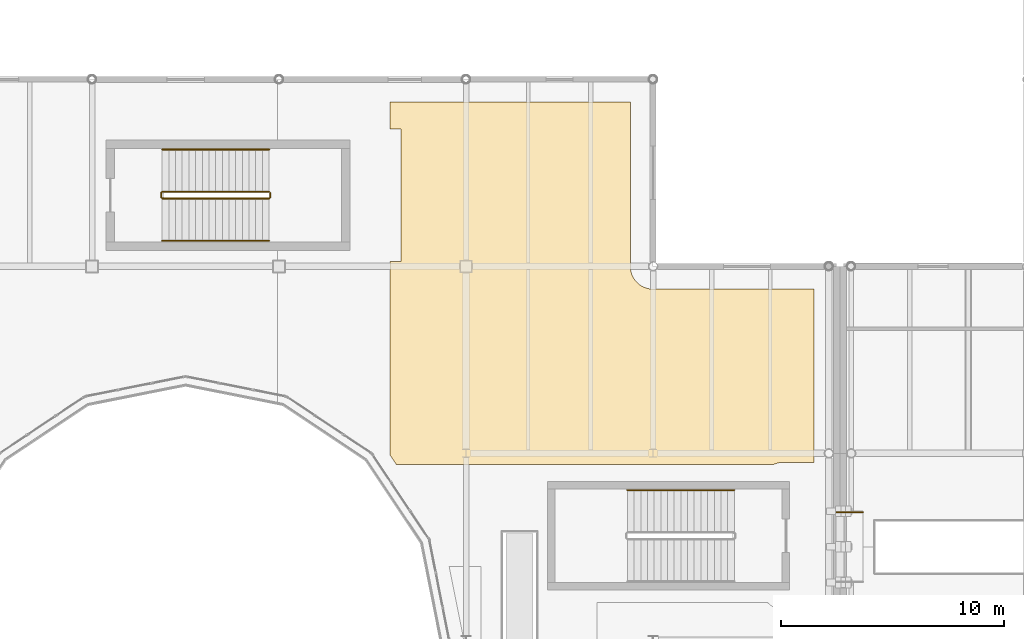
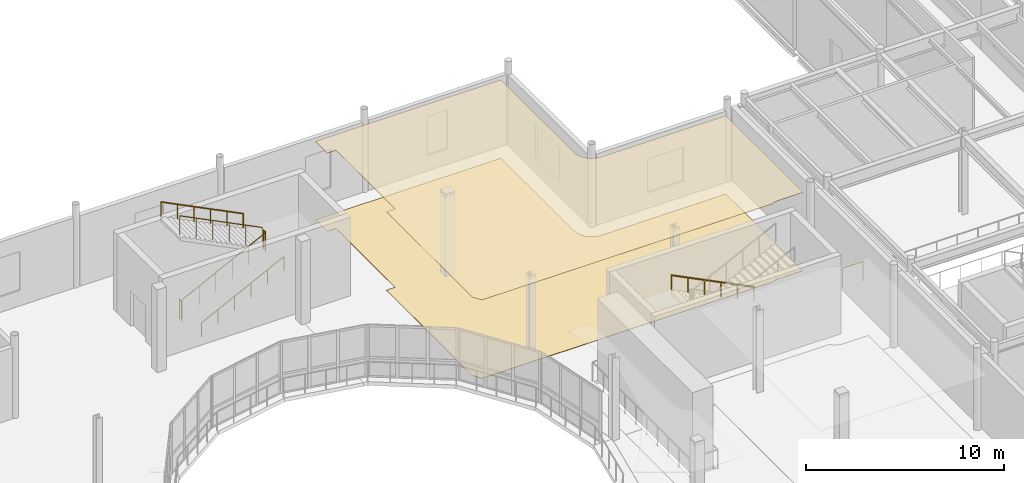
# One storey, part 96 of 103: 8 railings, 2 coverings.
"""IFC4 building model written with IfcOpenShell, lengths in metres."""

import ifcopenshell
import ifcopenshell.guid

model = None  # the IFC model being written
_history = None  # IfcOwnerHistory: only IFC2X3 demands one
_inside = {}  # id of a spatial element -> (the spatial element, [elements in it])
_under = {}  # id of a project, library or spatial element -> (it, [spatial elements below it])
_declared = {}  # id of a project -> (the project, [libraries it declares])
_typed = {}  # id of a type object -> (the type object, [elements of that type])
_made_of = {}  # id of a material, layer set ... -> (it, [elements and type objects made of it])


def new_model(schema):
    """Start an empty IFC model of exactly this schema.

    Asked for "IFC4X3", IfcOpenShell would pick the latest addendum, in which some entities
    have other attributes; the version numbers below select the first issue.
    IFC2X3 requires an IfcOwnerHistory on every rooted entity: one is made here for all.
    """
    global model, _history
    if schema == "IFC4X3":
        model = ifcopenshell.file(schema_version=(4, 3, 0, 0))
    else:
        model = ifcopenshell.file(schema=schema)
    _inside.clear()
    _under.clear()
    _declared.clear()
    _typed.clear()
    _made_of.clear()
    _history = None
    if model.schema == "IFC2X3":
        org = make("IfcOrganization", Name="unknown")
        user = make(
            "IfcPersonAndOrganization",
            ThePerson=make("IfcPerson", FamilyName="unknown"),
            TheOrganization=org,
        )
        app = make(
            "IfcApplication",
            ApplicationDeveloper=org,
            Version="unknown",
            ApplicationFullName="unknown",
            ApplicationIdentifier="unknown",
        )
        _history = make(
            "IfcOwnerHistory",
            OwningUser=user,
            OwningApplication=app,
            ChangeAction="ADDED",
            CreationDate=0,
        )
    return model


def make(cls, **values):
    """One entity of the class cls with the attributes given. An attribute that is None is left unset."""
    return model.create_entity(
        cls, **{name: value for name, value in values.items() if value is not None}
    )


def rooted(cls, **values):
    """An entity with a GlobalId (a new one), such as an element, a storey or a relation."""
    return make(cls, GlobalId=ifcopenshell.guid.new(), OwnerHistory=_history, **values)


def si_unit(unit_type, name, prefix=None):
    """IfcSIUnit, for example si_unit("LENGTHUNIT", "METRE", prefix="MILLI")."""
    return make("IfcSIUnit", UnitType=unit_type, Prefix=prefix, Name=name)


def assignment(units):
    """IfcUnitAssignment: the units of a project."""
    return None if units is None else make("IfcUnitAssignment", Units=units)


def point(xyz):
    """IfcCartesianPoint."""
    return None if xyz is None else make("IfcCartesianPoint", Coordinates=xyz)


def direction(xyz):
    """IfcDirection."""
    return None if xyz is None else make("IfcDirection", DirectionRatios=xyz)


def frame(location, z_axis=None, x_axis=None):
    """IfcAxis2Placement3D, a coordinate frame: its origin and axes. An axis left out is left unset."""
    return make(
        "IfcAxis2Placement3D",
        Location=point(location),
        Axis=direction(z_axis),
        RefDirection=direction(x_axis),
    )


def frame_2d(location, x_axis=None):
    """IfcAxis2Placement2D, a coordinate frame in the plane: its origin and x axis."""
    return make(
        "IfcAxis2Placement2D", Location=point(location), RefDirection=direction(x_axis)
    )


def origin():
    """The frame at (0, 0, 0) with its axes left unset."""
    return frame((0.0, 0.0, 0.0))


def origin_2d():
    """The frame at (0, 0) in the plane with its x axis left unset."""
    return frame_2d((0.0, 0.0))


def place(relative_to, where):
    """IfcLocalPlacement: puts the frame where relative to a parent placement (None: the world)."""
    return make(
        "IfcLocalPlacement", PlacementRelTo=relative_to, RelativePlacement=where
    )


def context(
    kind, dimensions, precision=None, world=None, true_north=None, identifier=None
):
    """IfcGeometricRepresentationContext, for example the 3D "Model" context."""
    return make(
        "IfcGeometricRepresentationContext",
        ContextIdentifier=identifier,
        ContextType=kind,
        CoordinateSpaceDimension=dimensions,
        Precision=precision,
        WorldCoordinateSystem=world,
        TrueNorth=true_north,
    )


def subcontext(parent, identifier, kind, view, scale=None):
    """IfcGeometricRepresentationSubContext, for example "Body" below "Model"."""
    return make(
        "IfcGeometricRepresentationSubContext",
        ContextIdentifier=identifier,
        ContextType=kind,
        ParentContext=parent,
        TargetScale=scale,
        TargetView=view,
    )


def project(units=None, contexts=None):
    """IfcProject with its units and contexts."""
    return rooted(
        "IfcProject",
        Name="project",
        RepresentationContexts=contexts,
        UnitsInContext=assignment(units),
    )


def spatial(cls, under=None, at=None, **own):
    """A site, building, storey or space (cls), placed at a placement, below another one or the project."""
    s = rooted(cls, ObjectPlacement=at, **own)
    if under is not None:
        _under.setdefault(under.id(), (under, []))[1].append(s)
    return s


def polyline(points):
    """IfcPolyline through the points."""
    return make("IfcPolyline", Points=[point(p) for p in points])


def profile(cls, at=None, kind="AREA", **sizes):
    """A parametric profile (cls). Its sizes go by their IFC names, for example OverallWidth=200.0."""
    return make(cls, ProfileType=kind, Position=at, **sizes)


def circle(**sizes):
    """IfcCircleProfileDef."""
    return profile("IfcCircleProfileDef", **sizes)


def outline(outer, holes=None, kind="AREA"):
    """IfcArbitraryClosedProfileDef: a profile drawn as a closed curve; with holes, ...WithVoids."""
    if holes is None:
        return make("IfcArbitraryClosedProfileDef", ProfileType=kind, OuterCurve=outer)
    return make(
        "IfcArbitraryProfileDefWithVoids",
        ProfileType=kind,
        OuterCurve=outer,
        InnerCurves=holes,
    )


def extrude(swept, where, along, depth):
    """IfcExtrudedAreaSolid: the profile swept, set in the frame where, extruded along a direction by depth."""
    return make(
        "IfcExtrudedAreaSolid",
        SweptArea=swept,
        Position=where,
        ExtrudedDirection=direction(along),
        Depth=depth,
    )


def shape(context_of_items, identifier, shape_type, items):
    """IfcShapeRepresentation: the items that make up one representation, for example the "Body"."""
    return make(
        "IfcShapeRepresentation",
        ContextOfItems=context_of_items,
        RepresentationIdentifier=identifier,
        RepresentationType=shape_type,
        Items=items,
    )


def material(Name=None, Category=None):
    """IfcMaterial."""
    return make("IfcMaterial", Name=Name, Category=Category)


def layer(
    of_material, thickness, ventilated=None, Name=None, Category=None, Priority=None
):
    """IfcMaterialLayer: one layer of a wall or slab, of a material (None: an air gap)."""
    return make(
        "IfcMaterialLayer",
        Material=of_material,
        LayerThickness=thickness,
        IsVentilated=ventilated,
        Name=Name,
        Category=Category,
        Priority=Priority,
    )


def layer_set(layers, Name=None):
    """IfcMaterialLayerSet."""
    return make("IfcMaterialLayerSet", MaterialLayers=layers, LayerSetName=Name)


def made_of(thing, what):
    """Note that an element or type object is made of a material, layer set ...; save() writes the relation."""
    if what is not None:
        _made_of.setdefault(what.id(), (what, []))[1].append(thing)
    return thing


def type_object(cls, material=None, **own):
    """A type object (cls), such as IfcWallType, which elements share."""
    return made_of(rooted(cls, **own), material)


def element(
    cls,
    number,
    at=None,
    inside=None,
    cuts=None,
    type_object=None,
    material=None,
    context=None,
    identifier="Body",
    shape_type=None,
    held_by="IfcProductDefinitionShape",
    body=None,
    shapes=None,
    **own,
):
    """One element of the class cls, such as IfcWall. Its Tag is "e" and its number.

    at: its placement. inside: the storey or other place that contains it. cuts: it is an
    opening in that element (IfcRelVoidsElement). A single representation is given by context,
    identifier, shape_type and body (its items); several are given by shapes. held_by: the class
    of the entity that holds the representations. save() writes the other relations.
    """
    e = rooted(cls, Tag="e%d" % number, ObjectPlacement=at, **own)
    if body is not None:
        shapes = [shape(context, identifier, shape_type, body)]
    if shapes is not None:
        e.Representation = make(held_by, Representations=shapes)
    if inside is not None:
        _inside.setdefault(inside.id(), (inside, []))[1].append(e)
    if cuts is not None:
        rooted(
            "IfcRelVoidsElement", RelatingBuildingElement=cuts, RelatedOpeningElement=e
        )
    if type_object is not None:
        _typed.setdefault(type_object.id(), (type_object, []))[1].append(e)
    return made_of(e, material)


def aggregate(whole, parts):
    """IfcRelAggregates: a whole, such as a stair, and the parts it consists of."""
    return rooted("IfcRelAggregates", RelatingObject=whole, RelatedObjects=parts)


def save(model, path):
    """Write the relations noted so far, then the file.

    IfcRelAggregates (storeys below a building ...), IfcRelContainedInSpatialStructure (elements
    in a storey), IfcRelDefinesByType, IfcRelAssociatesMaterial and IfcRelDeclares: one each for
    every whole, place, type object, material and project.
    """
    for whole, parts in _under.values():
        aggregate(whole, parts)
    for where, things in _inside.values():
        rooted(
            "IfcRelContainedInSpatialStructure",
            RelatedElements=things,
            RelatingStructure=where,
        )
    for kind, things in _typed.values():
        rooted("IfcRelDefinesByType", RelatedObjects=things, RelatingType=kind)
    for what, things in _made_of.values():
        rooted("IfcRelAssociatesMaterial", RelatedObjects=things, RelatingMaterial=what)
    for by, libraries in _declared.values():
        rooted("IfcRelDeclares", RelatingContext=by, RelatedDefinitions=libraries)
    model.write(path)


model = new_model("IFC4")

# Units and contexts
model_context = context("Model", 3, precision=1e-05, world=origin(), true_north=direction((0.0, 1.0)))
body_context = subcontext(model_context, "Body", "Model", "MODEL_VIEW")
ifc_project = project(units=[si_unit("LENGTHUNIT", "METRE"), si_unit("AREAUNIT", "SQUARE_METRE"), si_unit("VOLUMEUNIT", "CUBIC_METRE"), si_unit("PLANEANGLEUNIT", "RADIAN"), si_unit("MASSUNIT", "GRAM", prefix="KILO"), si_unit("THERMODYNAMICTEMPERATUREUNIT", "KELVIN")], contexts=[model_context])

# Site, building, storey
site_placement = place(None, origin())
site = spatial("IfcSite", under=ifc_project, at=site_placement, CompositionType="ELEMENT")
building_placement = place(site_placement, origin())
building = spatial("IfcBuilding", under=site, at=building_placement, Name="Lustrewick Department Store", CompositionType="ELEMENT")
storey_placement = place(building_placement, frame((0.0, 0.0, 16.5)))
storey = spatial("IfcBuildingStorey", under=building, at=storey_placement, Name="L04", CompositionType="ELEMENT", Elevation=16.5)

# Coverings
ifc_material_1 = material(Name="Perforated mineral-fibre acoustic ceiling board", Category="gypsum")
ifc_layer_1 = layer(ifc_material_1, 0.02490234375, Name="Perforated mineral-fibre acoustic ceiling board")
ifc_layer_set_1 = layer_set([ifc_layer_1], Name="Perforated mineral-fibre acoustic ceiling board")
covering_type_1 = type_object("IfcCoveringType", Name="COV-CEIL", PredefinedType="CEILING", material=ifc_layer_set_1)
covering_1_placement = place(storey_placement, frame((0.0, 0.0, 4.820068359375)))
element("IfcCovering", 1, at=covering_1_placement, inside=storey, type_object=covering_type_1, Name="L04 Lifestyle Design Gallery Acoustic Ceiling", PredefinedType="CEILING", context=body_context, shape_type="SweptSolid", body=[
    extrude(outline(polyline([(38.574462890625, 91.3798828125), (38.574462890625, 90.179931640625), (39.080078125, 90.179931640625), (39.080078125, 84.219970703125), (38.574462890625, 84.219970703125), (38.574462890625, 75.53857421875), (38.874267578125, 75.090087890625), (55.791748046875, 75.090087890625), (55.836181640625, 75.1123046875), (55.8388671875, 75.11328125), (55.841552734375, 75.114501953125), (55.92138671875, 75.1455078125), (56.00439453125, 75.168212890625), (56.007568359375, 75.1689453125), (56.02490234375, 75.172607421875), (56.0283203125, 75.17333984375), (56.1123046875, 75.185791015625), (56.197021484375, 75.18994140625), (57.6298828125, 75.18994140625), (57.6298828125, 82.97998046875), (50.39892578125, 82.97998046875), (50.356201171875, 82.981201171875), (50.339599609375, 82.98193359375), (50.260009765625, 82.98974609375), (50.24267578125, 82.9921875), (50.16259765625, 83.008056640625), (50.1455078125, 83.012451171875), (50.062255859375, 83.03759765625), (50.04541015625, 83.043701171875), (49.97509765625, 83.07275390625), (49.959228515625, 83.080322265625), (49.882080078125, 83.121337890625), (49.86669921875, 83.130615234375), (49.7978515625, 83.177001953125), (49.78369140625, 83.1875), (49.72314453125, 83.237060546875), (49.710205078125, 83.248779296875), (49.64892578125, 83.31005859375), (49.63720703125, 83.3232421875), (49.58740234375, 83.3837890625), (49.576904296875, 83.397705078125), (49.530517578125, 83.466796875), (49.521484375, 83.482177734375), (49.480224609375, 83.559326171875), (49.472900390625, 83.5751953125), (49.443603515625, 83.6455078125), (49.437744140625, 83.662109375), (49.412353515625, 83.74560546875), (49.408203125, 83.7626953125), (49.392333984375, 83.8427734375), (49.389892578125, 83.860107421875), (49.3818359375, 83.939453125), (49.381103515625, 83.9560546875), (49.3798828125, 83.9990234375), (49.3798828125, 91.3798828125), (38.574462890625, 91.3798828125)])), origin(), (0.0, 0.0, 1.0), 0.02490234375),
])
ifc_material_2 = material(Name="Polished terrazzo and porcelain floor finish", Category="masonry")
ifc_layer_2 = layer(ifc_material_2, 0.02001953125, Name="Polished terrazzo and porcelain floor finish")
ifc_layer_set_2 = layer_set([ifc_layer_2], Name="Polished terrazzo and porcelain floor finish")
covering_type_2 = type_object("IfcCoveringType", Name="COV-FLR", PredefinedType="FLOORING", material=ifc_layer_set_2)
covering_2_placement = place(storey_placement, origin())
element("IfcCovering", 2, at=covering_2_placement, inside=storey, type_object=covering_type_2, Name="L04 Lifestyle Design Gallery Terrazzo Flooring", PredefinedType="FLOORING", context=body_context, shape_type="SweptSolid", body=[
    extrude(outline(polyline([(38.574462890625, 91.3798828125), (38.574462890625, 90.179931640625), (39.080078125, 90.179931640625), (39.080078125, 84.219970703125), (38.574462890625, 84.219970703125), (38.574462890625, 75.53857421875), (38.874267578125, 75.090087890625), (55.791748046875, 75.090087890625), (55.836181640625, 75.1123046875), (55.8388671875, 75.11328125), (55.841552734375, 75.114501953125), (55.92138671875, 75.1455078125), (56.00439453125, 75.168212890625), (56.007568359375, 75.1689453125), (56.02490234375, 75.172607421875), (56.0283203125, 75.17333984375), (56.1123046875, 75.185791015625), (56.197021484375, 75.18994140625), (57.6298828125, 75.18994140625), (57.6298828125, 82.97998046875), (50.39892578125, 82.97998046875), (50.356201171875, 82.981201171875), (50.339599609375, 82.98193359375), (50.260009765625, 82.98974609375), (50.24267578125, 82.9921875), (50.16259765625, 83.008056640625), (50.1455078125, 83.012451171875), (50.062255859375, 83.03759765625), (50.04541015625, 83.043701171875), (49.97509765625, 83.07275390625), (49.959228515625, 83.080322265625), (49.882080078125, 83.121337890625), (49.86669921875, 83.130615234375), (49.7978515625, 83.177001953125), (49.78369140625, 83.1875), (49.72314453125, 83.237060546875), (49.710205078125, 83.248779296875), (49.64892578125, 83.31005859375), (49.63720703125, 83.3232421875), (49.58740234375, 83.3837890625), (49.576904296875, 83.397705078125), (49.530517578125, 83.466796875), (49.521484375, 83.482177734375), (49.480224609375, 83.559326171875), (49.472900390625, 83.5751953125), (49.443603515625, 83.6455078125), (49.437744140625, 83.662109375), (49.412353515625, 83.74560546875), (49.408203125, 83.7626953125), (49.392333984375, 83.8427734375), (49.389892578125, 83.860107421875), (49.3818359375, 83.939453125), (49.381103515625, 83.9560546875), (49.3798828125, 83.9990234375), (49.3798828125, 91.3798828125), (38.574462890625, 91.3798828125)])), origin(), (0.0, 0.0, 1.0), 0.02001953125),
])

# Railings
ifc_material_3 = material(Name="Laminated safety glass and bronze atrium balustrade", Category="glass")
railing_type_1 = type_object("IfcRailingType", Name="RL-BAL", PredefinedType="BALUSTRADE", material=ifc_material_3)
railing_1_placement = place(storey_placement, frame((58.639892578125, 72.9599609375, 0.0)))
element("IfcRailing", 3, at=railing_1_placement, inside=storey, type_object=railing_type_1, Name="L04 Skybridge SB12 North Guard 0041", PredefinedType="BALUSTRADE", context=body_context, shape_type="SweptSolid", body=[
    extrude(circle(Radius=0.02392578125, at=origin_2d()), frame((0.0, 0.0, 1.17578125), z_axis=(1.0, 0.0, 0.0), x_axis=(0.0, 1.0, 0.0)), (0.0, 0.0, 1.0), 1.190185546875),
    extrude(circle(Radius=0.02099609375, at=origin_2d()), origin(), (0.0, 0.0, 1.0), 1.15185546875),
    extrude(circle(Radius=0.02099609375, at=origin_2d()), frame((1.190185546875, 0.0, 0.0)), (0.0, 0.0, 1.0), 1.15185546875),
])
ifc_material_4 = material(Name="Painted tubular steel stairwell guardrail", Category="steel")
railing_type_2 = type_object("IfcRailingType", Name="RL-STG", PredefinedType="GUARDRAIL", material=ifc_material_4)
railing_2_placement = place(storey_placement, frame((28.35009765625, 87.050048828125, 0.14990234375)))
element("IfcRailing", 4, at=railing_2_placement, inside=storey, type_object=railing_type_2, Name="L04 ST03 Stair Guard 1", PredefinedType="GUARDRAIL", context=body_context, shape_type="SweptSolid", body=[
    extrude(circle(Radius=0.02392578125, at=origin_2d()), frame((0.0, 0.0, 1.17578125), z_axis=(0.894408992721, 0.0, 0.447249990206), x_axis=(0.0, 1.0, 0.0)), (0.0, 0.0, 1.0), 5.366455078125),
    extrude(circle(Radius=0.02099609375, at=origin_2d()), origin(), (0.0, 0.0, 1.0), 1.15185546875),
    extrude(circle(Radius=0.02099609375, at=origin_2d()), frame((0.9599609375, 0.0, 0.47998046875)), (0.0, 0.0, 1.0), 1.15185546875),
    extrude(circle(Radius=0.02099609375, at=origin_2d()), frame((1.919921875, 0.0, 0.9599609375)), (0.0, 0.0, 1.0), 1.15185546875),
    extrude(circle(Radius=0.02099609375, at=origin_2d()), frame((2.8798828125, 0.0, 1.440185546875)), (0.0, 0.0, 1.0), 1.15185546875),
    extrude(circle(Radius=0.02099609375, at=origin_2d()), frame((3.83984375, 0.0, 1.920166015625)), (0.0, 0.0, 1.0), 1.15185546875),
    extrude(circle(Radius=0.02099609375, at=origin_2d()), frame((4.7998046875, 0.0, 2.400146484375)), (0.0, 0.0, 1.0), 1.15185546875),
])
railing_3_placement = place(storey_placement, frame((33.199951171875, 87.10009765625, 2.550048828125)))
element("IfcRailing", 5, at=railing_3_placement, inside=storey, type_object=railing_type_2, Name="L04 ST03 Stair Guard 2", PredefinedType="GUARDRAIL", context=body_context, shape_type="SweptSolid", body=[
    extrude(circle(Radius=0.02392578125, at=origin_2d()), frame((0.0, 0.0, 1.17578125), z_axis=(0.0, 1.0, 0.0), x_axis=(-1.0, 0.0, 0.0)), (0.0, 0.0, 1.0), 0.199951171875),
    extrude(circle(Radius=0.02099609375, at=origin_2d()), origin(), (0.0, 0.0, 1.0), 1.15185546875),
    extrude(circle(Radius=0.02099609375, at=origin_2d()), frame((0.0, 0.199951171875, 0.0)), (0.0, 0.0, 1.0), 1.15185546875),
])
railing_4_placement = place(storey_placement, frame((33.14990234375, 87.35009765625, 2.699951171875)))
element("IfcRailing", 6, at=railing_4_placement, inside=storey, type_object=railing_type_2, Name="L04 ST03 Stair Guard 3", PredefinedType="GUARDRAIL", context=body_context, shape_type="SweptSolid", body=[
    extrude(circle(Radius=0.02392578125, at=origin_2d()), frame((0.0, 0.0, 1.17578125), z_axis=(-0.894408992721, 0.0, 0.447249990206), x_axis=(0.0, -1.0, 0.0)), (0.0, 0.0, 1.0), 5.366455078125),
    extrude(circle(Radius=0.02099609375, at=origin_2d()), origin(), (0.0, 0.0, 1.0), 1.15185546875),
    extrude(circle(Radius=0.02099609375, at=origin_2d()), frame((-0.9599609375, 0.0, 0.47998046875)), (0.0, 0.0, 1.0), 1.15185546875),
    extrude(circle(Radius=0.02099609375, at=origin_2d()), frame((-1.919921875, 0.0, 0.9599609375)), (0.0, 0.0, 1.0), 1.15185546875),
    extrude(circle(Radius=0.02099609375, at=origin_2d()), frame((-2.8798828125, 0.0, 1.440185546875)), (0.0, 0.0, 1.0), 1.15185546875),
    extrude(circle(Radius=0.02099609375, at=origin_2d()), frame((-3.83984375, 0.0, 1.920166015625)), (0.0, 0.0, 1.0), 1.15185546875),
    extrude(circle(Radius=0.02099609375, at=origin_2d()), frame((-4.7998046875, 0.0, 2.400146484375)), (0.0, 0.0, 1.0), 1.15185546875),
])
railing_5_placement = place(storey_placement, frame((28.300048828125, 87.10009765625, 0.0)))
element("IfcRailing", 7, at=railing_5_placement, inside=storey, type_object=railing_type_2, Name="L04 ST03 Stair Guard 4", PredefinedType="GUARDRAIL", context=body_context, shape_type="SweptSolid", body=[
    extrude(circle(Radius=0.02392578125, at=origin_2d()), frame((0.0, 0.0, 1.17578125), z_axis=(0.0, 1.0, 0.0), x_axis=(-1.0, 0.0, 0.0)), (0.0, 0.0, 1.0), 0.199951171875),
    extrude(circle(Radius=0.02099609375, at=origin_2d()), origin(), (0.0, 0.0, 1.0), 1.15185546875),
    extrude(circle(Radius=0.02099609375, at=origin_2d()), frame((0.0, 0.199951171875, 0.0)), (0.0, 0.0, 1.0), 1.15185546875),
])
ifc_material_5 = material(Name="Brushed stainless steel wall handrail", Category="steel")
railing_type_3 = type_object("IfcRailingType", Name="RL-STH", PredefinedType="HANDRAIL", material=ifc_material_5)
railing_6_placement = place(storey_placement, frame((54.050048828125, 73.949951171875, 0.14990234375)))
element("IfcRailing", 8, at=railing_6_placement, inside=storey, type_object=railing_type_3, Name="L04 ST02 Stair Handrail 1", PredefinedType="HANDRAIL", context=body_context, shape_type="SweptSolid", body=[
    extrude(circle(Radius=0.02392578125, at=origin_2d()), frame((0.0, 0.0, 0.8759765625), z_axis=(-0.894418092416, 0.0, 0.447231792205), x_axis=(0.0, -1.0, 0.0)), (0.0, 0.0, 1.0), 5.36669921875),
    extrude(circle(Radius=0.02099609375, at=origin_2d()), origin(), (0.0, 0.0, 1.0), 0.851806640625),
    extrude(circle(Radius=0.02099609375, at=origin_2d()), frame((-0.9599609375, 0.0, 0.47998046875)), (0.0, 0.0, 1.0), 0.851806640625),
    extrude(circle(Radius=0.02099609375, at=origin_2d()), frame((-1.919921875, 0.0, 0.9599609375)), (0.0, 0.0, 1.0), 0.851806640625),
    extrude(circle(Radius=0.02099609375, at=origin_2d()), frame((-2.880126953125, 0.0, 1.440185546875)), (0.0, 0.0, 1.0), 0.851806640625),
    extrude(circle(Radius=0.02099609375, at=origin_2d()), frame((-3.840087890625, 0.0, 1.920166015625)), (0.0, 0.0, 1.0), 0.851806640625),
    extrude(circle(Radius=0.02099609375, at=origin_2d()), frame((-4.800048828125, 0.0, 2.400146484375)), (0.0, 0.0, 1.0), 0.851806640625),
])
railing_7_placement = place(storey_placement, frame((28.35009765625, 85.14990234375, 0.14990234375)))
element("IfcRailing", 9, at=railing_7_placement, inside=storey, type_object=railing_type_3, Name="L04 ST03 Stair Handrail 1", PredefinedType="HANDRAIL", context=body_context, shape_type="SweptSolid", body=[
    extrude(circle(Radius=0.02392578125, at=origin_2d()), frame((0.0, 0.0, 0.8759765625), z_axis=(0.894408992721, 0.0, 0.447249990206), x_axis=(0.0, 1.0, 0.0)), (0.0, 0.0, 1.0), 5.366455078125),
    extrude(circle(Radius=0.02099609375, at=origin_2d()), origin(), (0.0, 0.0, 1.0), 0.851806640625),
    extrude(circle(Radius=0.02099609375, at=origin_2d()), frame((0.9599609375, 0.0, 0.47998046875)), (0.0, 0.0, 1.0), 0.851806640625),
    extrude(circle(Radius=0.02099609375, at=origin_2d()), frame((1.919921875, 0.0, 0.9599609375)), (0.0, 0.0, 1.0), 0.851806640625),
    extrude(circle(Radius=0.02099609375, at=origin_2d()), frame((2.8798828125, 0.0, 1.440185546875)), (0.0, 0.0, 1.0), 0.851806640625),
    extrude(circle(Radius=0.02099609375, at=origin_2d()), frame((3.83984375, 0.0, 1.920166015625)), (0.0, 0.0, 1.0), 0.851806640625),
    extrude(circle(Radius=0.02099609375, at=origin_2d()), frame((4.7998046875, 0.0, 2.400146484375)), (0.0, 0.0, 1.0), 0.851806640625),
])
railing_8_placement = place(storey_placement, frame((33.14990234375, 89.25, 2.699951171875)))
element("IfcRailing", 10, at=railing_8_placement, inside=storey, type_object=railing_type_3, Name="L04 ST03 Stair Handrail 2", PredefinedType="HANDRAIL", context=body_context, shape_type="SweptSolid", body=[
    extrude(circle(Radius=0.02392578125, at=origin_2d()), frame((0.0, 0.0, 0.8759765625), z_axis=(-0.894408992721, 0.0, 0.447249990206), x_axis=(0.0, -1.0, 0.0)), (0.0, 0.0, 1.0), 5.366455078125),
    extrude(circle(Radius=0.02099609375, at=origin_2d()), origin(), (0.0, 0.0, 1.0), 0.851806640625),
    extrude(circle(Radius=0.02099609375, at=origin_2d()), frame((-0.9599609375, 0.0, 0.47998046875)), (0.0, 0.0, 1.0), 0.851806640625),
    extrude(circle(Radius=0.02099609375, at=origin_2d()), frame((-1.919921875, 0.0, 0.9599609375)), (0.0, 0.0, 1.0), 0.851806640625),
    extrude(circle(Radius=0.02099609375, at=origin_2d()), frame((-2.8798828125, 0.0, 1.440185546875)), (0.0, 0.0, 1.0), 0.851806640625),
    extrude(circle(Radius=0.02099609375, at=origin_2d()), frame((-3.83984375, 0.0, 1.920166015625)), (0.0, 0.0, 1.0), 0.851806640625),
    extrude(circle(Radius=0.02099609375, at=origin_2d()), frame((-4.7998046875, 0.0, 2.400146484375)), (0.0, 0.0, 1.0), 0.851806640625),
])

save(model, "model.ifc")
